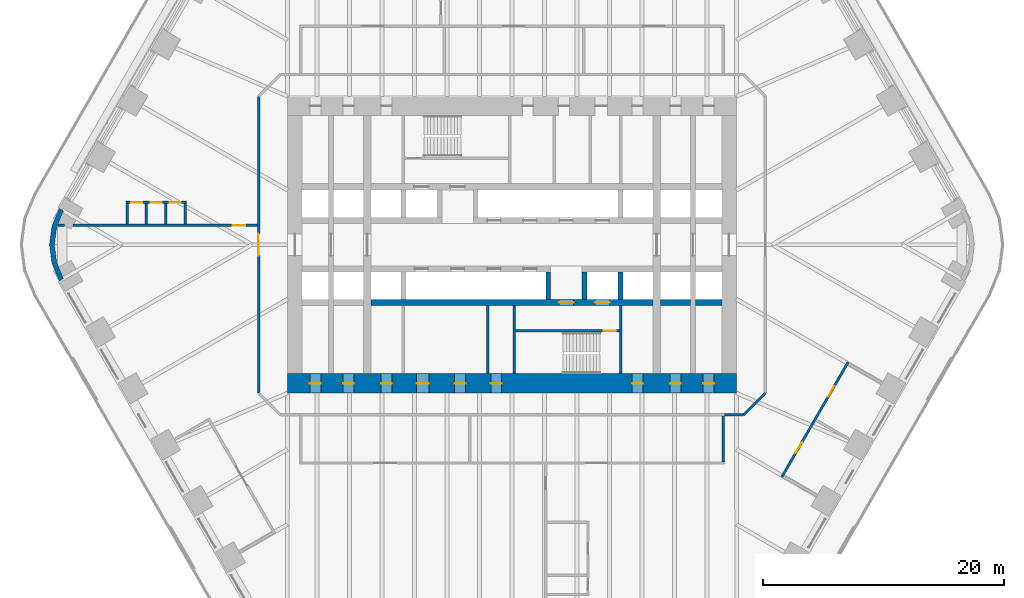
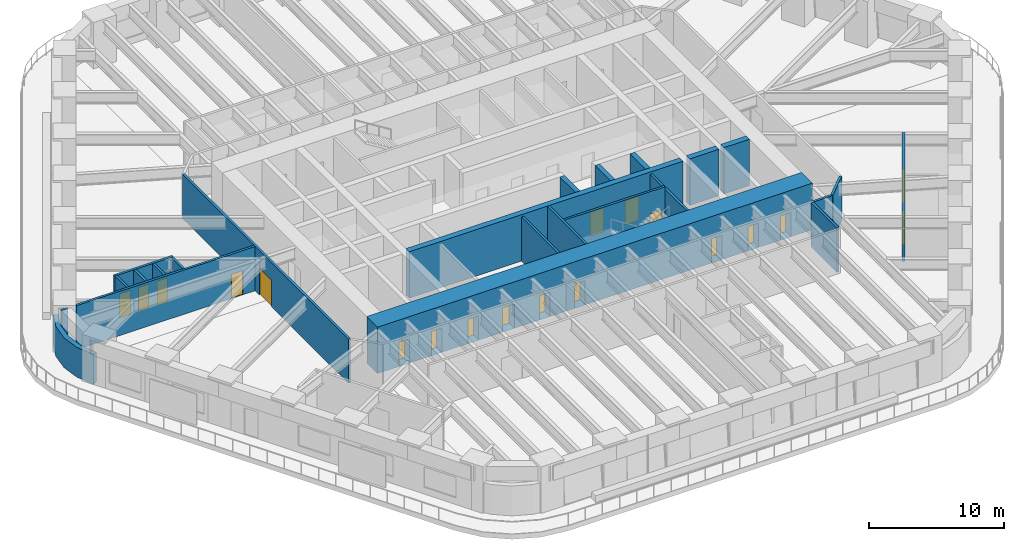
# One storey, part 17 of 23: 24 walls, 19 doors, 19 openings.
"""IFC4 building model written with IfcOpenShell, lengths in metres."""

from ifc_helpers import new_model, si_unit, direction, frame, frame_2d, origin, place, context, subcontext, project, spatial, polyline, rectangle, outline, extrude, material, layer, layer_set, type_object, element, fill, save


model = new_model("IFC4")

# Units and contexts
model_context = context("Model", 3, precision=1e-05, world=origin(), true_north=direction((0.0, 1.0)))
body_context = subcontext(model_context, "Body", "Model", "MODEL_VIEW")
ifc_project = project(units=[si_unit("LENGTHUNIT", "METRE"), si_unit("AREAUNIT", "SQUARE_METRE"), si_unit("VOLUMEUNIT", "CUBIC_METRE"), si_unit("PLANEANGLEUNIT", "RADIAN"), si_unit("MASSUNIT", "GRAM", prefix="KILO")], contexts=[model_context])

# Site, building, storey
site_placement = place(None, origin())
site = spatial("IfcSite", under=ifc_project, at=site_placement, CompositionType="ELEMENT")
building_placement = place(site_placement, origin())
building = spatial("IfcBuilding", under=site, at=building_placement, Name="Tarfa Lantern Tower", CompositionType="ELEMENT")
storey_placement = place(building_placement, frame((0.0, 0.0, 78.10009765625)))
storey = spatial("IfcBuildingStorey", under=building, at=storey_placement, Name="L17", CompositionType="ELEMENT", Elevation=78.10009765625)

# Walls
ifc_material_1 = material(Name="Limestone cladding on blockwork", Category="masonry")
ifc_layer_1 = layer(ifc_material_1, 0.39990234375)
ifc_layer_set_1 = layer_set([ifc_layer_1], Name="EW2 CURVED STONE CORNER 400")
wall_type_1 = type_object("IfcWallType", Name="EW2 CURVED STONE CORNER 400", PredefinedType="SOLIDWALL", material=ifc_layer_set_1)
wall_1_placement = place(storey_placement, origin())
element("IfcWall", 1, at=wall_1_placement, inside=storey, type_object=wall_type_1, Name="Stone corner NW-SW", PredefinedType="SOLIDWALL", context=body_context, shape_type="SweptSolid", body=[
    extrude(outline(polyline([(-37.52783203125, 3.0), (-38.127197265625, 1.552978515625), (-38.33154296875, 0.0), (-38.127197265625, -1.552978515625), (-37.52783203125, -3.0), (-37.181396484375, -2.800048828125), (-37.74072265625, -1.449462890625), (-37.931640625, 0.0), (-37.74072265625, 1.449462890625), (-37.181396484375, 2.800048828125), (-37.52783203125, 3.0)])), origin(), (0.0, 0.0, 1.0), 2.699951171875),
])
ifc_material_2 = material(Name="Concrete blockwork", Category="masonry")
ifc_layer_2 = layer(ifc_material_2, 0.199951171875)
ifc_layer_set_2 = layer_set([ifc_layer_2], Name="IW1 BLOCKWORK PARTITION 200 EI 120")
wall_type_2 = type_object("IfcWallType", Name="IW1 BLOCKWORK PARTITION 200 EI 120", PredefinedType="PARTITIONING", material=ifc_layer_set_2)
for number, where, z_axis, x_axis, name in (
    (2, (9.0, -5.050048828125, 0.0), (0.0, 0.0, 1.0), (0.0, -1.0, 0.0), "Core partition"),
    (3, (-2.0, -5.050048828125, 0.0), (0.0, 0.0, 1.0), (0.0, -1.0, 0.0), "Core partition"),
):
    element("IfcWall", number, at=place(storey_placement, frame(where, z_axis=z_axis, x_axis=x_axis)), inside=storey, type_object=wall_type_2, Name=name, PredefinedType="PARTITIONING", context=body_context, shape_type="SweptSolid", body=[
        extrude(rectangle(XDim=5.64990234375, YDim=0.199951171875, at=frame_2d((2.824951171875, 0.0))), origin(), (0.0, 0.0, 1.0), 4.0),
    ])
ifc_material_3 = material(Name="Gypsum board on steel studs", Category="steel")
ifc_layer_3 = layer(ifc_material_3, 0.2099609375)
ifc_layer_set_3 = layer_set([ifc_layer_3], Name="IW2 ACOUSTIC PARTITION 200")
wall_type_3 = type_object("IfcWallType", Name="IW2 ACOUSTIC PARTITION 200", PredefinedType="PARTITIONING", material=ifc_layer_set_3)
wall_2_placement = place(storey_placement, frame((17.5, -14.199951171875, 0.0), z_axis=(0.0, 0.0, 1.0), x_axis=(0.0, -1.0, 0.0)))
element("IfcWall", 4, at=wall_2_placement, inside=storey, type_object=wall_type_3, Name="Partition", PredefinedType="PARTITIONING", context=body_context, shape_type="SweptSolid", body=[
    extrude(rectangle(XDim=3.800048828125, YDim=0.199951171875, at=frame_2d((1.89990234375, 0.0))), origin(), (0.0, 0.0, 1.0), 4.0),
])

# Wall, openings, doors
wall_3_placement = place(storey_placement, frame((22.370361328125, -19.253173828125, 0.0), z_axis=(0.0, 0.0, 1.0), x_axis=(0.500018936051, 0.866014470774, 0.0)))
wall_3 = element("IfcWall", 5, at=wall_3_placement, inside=storey, type_object=wall_type_3, Name="Partition", PredefinedType="PARTITIONING", context=body_context, shape_type="SweptSolid", body=[
    extrude(rectangle(XDim=10.97705078125, YDim=0.199951171875, at=frame_2d((5.488525390625, 0.0))), origin(), (0.0, 0.0, 1.0), 4.0),
])
opening_1_placement = place(wall_3_placement, frame((2.294189453125, 0.0, 0.0)))
opening_1 = element("IfcOpeningElement", 6, at=opening_1_placement, cuts=wall_3, Name="Opening D29", PredefinedType="OPENING", context=body_context, shape_type="SweptSolid", body=[
    extrude(rectangle(XDim=1.0, YDim=2.199951171875, at=frame_2d((0.5, 1.10009765625))), frame((0.0, 0.10986328125, 0.0), z_axis=(0.0, -1.0, 0.0), x_axis=(1.0, 0.0, 0.0)), (0.0, 0.0, 1.0), 0.219970703125),
])
opening_2_placement = place(wall_3_placement, frame((7.682861328125, 0.0, 0.0)))
opening_2 = element("IfcOpeningElement", 7, at=opening_2_placement, cuts=wall_3, Name="Opening D30", PredefinedType="OPENING", context=body_context, shape_type="SweptSolid", body=[
    extrude(rectangle(XDim=1.0, YDim=2.199951171875, at=frame_2d((0.5, 1.10009765625))), frame((0.0, 0.10986328125, 0.0), z_axis=(0.0, -1.0, 0.0), x_axis=(1.0, 0.0, 0.0)), (0.0, 0.0, 1.0), 0.219970703125),
])
ifc_material_4 = material(Name="Timber door", Category="wood")
door_type_1 = type_object("IfcDoorType", Name="DR1 ROOM DOOR 1000x2200", OperationType="SINGLE_SWING_LEFT", PredefinedType="DOOR", material=ifc_material_4)
door_1_placement = place(opening_1_placement, frame((1.0, 0.0, 0.0), z_axis=(0.0, 0.0, 1.0), x_axis=(-1.0, 0.0, 0.0)))
door_1 = element("IfcDoor", 8, at=door_1_placement, inside=storey, type_object=door_type_1, Name="Wellness room door", OperationType="SINGLE_SWING_LEFT", OverallHeight=2.199951171875, OverallWidth=1.0, PredefinedType="DOOR", context=body_context, shape_type="SweptSolid", body=[
    extrude(rectangle(XDim=1.0, YDim=2.199951171875, at=frame_2d((0.5, 1.10009765625))), frame((0.0, 0.02490234375, 0.0), z_axis=(0.0, -1.0, 0.0), x_axis=(1.0, 0.0, 0.0)), (0.0, 0.0, 1.0), 0.050048828125),
])
fill(opening_1, door_1)
door_2_placement = place(opening_2_placement, frame((1.0, 0.0, 0.0), z_axis=(0.0, 0.0, 1.0), x_axis=(-1.0, 0.0, 0.0)))
door_2 = element("IfcDoor", 9, at=door_2_placement, inside=storey, type_object=door_type_1, Name="Mothers' room door", OperationType="SINGLE_SWING_RIGHT", OverallHeight=2.199951171875, OverallWidth=1.0, PredefinedType="DOOR", context=body_context, shape_type="SweptSolid", body=[
    extrude(rectangle(XDim=1.0, YDim=2.199951171875, at=frame_2d((0.5, 1.10009765625))), frame((0.0, 0.02490234375, 0.0), z_axis=(0.0, -1.0, 0.0), x_axis=(1.0, 0.0, 0.0)), (0.0, 0.0, 1.0), 0.050048828125),
])
fill(opening_2, door_2)

# Walls
wall_4_placement = place(storey_placement, frame((21.0, -12.300048828125, 0.0), z_axis=(0.0, 0.0, 1.0), x_axis=(-0.707106781187, -0.707106781187, 0.0)))
element("IfcWall", 10, at=wall_4_placement, inside=storey, type_object=wall_type_3, Name="Partition", PredefinedType="PARTITIONING", context=body_context, shape_type="SweptSolid", body=[
    extrude(rectangle(XDim=2.545654296875, YDim=0.199951171875, at=frame_2d((1.27294921875, 0.0))), origin(), (0.0, 0.0, 1.0), 4.0),
])
wall_5_placement = place(storey_placement, frame((19.199951171875, -14.10009765625, 0.0), z_axis=(0.0, 0.0, 1.0), x_axis=(-1.0, 0.0, 0.0)))
element("IfcWall", 11, at=wall_5_placement, inside=storey, type_object=wall_type_3, Name="Partition", PredefinedType="PARTITIONING", context=body_context, shape_type="SweptSolid", body=[
    extrude(rectangle(XDim=1.599853515625, YDim=0.199951171875, at=frame_2d((0.7998046875, 0.0))), origin(), (0.0, 0.0, 1.0), 4.0),
])

# Wall, opening, door
wall_6_placement = place(storey_placement, frame((-21.0, -12.300048828125, 0.0), z_axis=(0.0, 0.0, 1.0), x_axis=(0.0, 1.0, 0.0)))
wall_6 = element("IfcWall", 12, at=wall_6_placement, inside=storey, type_object=wall_type_3, Name="Partition", PredefinedType="PARTITIONING", context=body_context, shape_type="SweptSolid", body=[
    extrude(rectangle(XDim=24.60009765625, YDim=0.199951171875, at=frame_2d((12.300048828125, 0.0))), origin(), (0.0, 0.0, 1.0), 4.0),
])
opening_3_placement = place(wall_6_placement, frame((11.39990234375, 0.0, 0.0)))
opening_3 = element("IfcOpeningElement", 13, at=opening_3_placement, cuts=wall_6, Name="Opening D43", PredefinedType="OPENING", context=body_context, shape_type="SweptSolid", body=[
    extrude(rectangle(XDim=1.800048828125, YDim=2.39990234375, at=frame_2d((0.89990234375, 1.199951171875))), frame((0.0, 0.10986328125, 0.0), z_axis=(0.0, -1.0, 0.0), x_axis=(1.0, 0.0, 0.0)), (0.0, 0.0, 1.0), 0.219970703125),
])
door_type_2 = type_object("IfcDoorType", Name="DR2 ROOM DOOR 1800x2400", OperationType="DOUBLE_DOOR_SINGLE_SWING", PredefinedType="DOOR", material=ifc_material_4)
door_3_placement = place(opening_3_placement, origin())
door_3 = element("IfcDoor", 14, at=door_3_placement, inside=storey, type_object=door_type_2, Name="Corridor door", OperationType="DOUBLE_DOOR_SINGLE_SWING", OverallHeight=2.39990234375, OverallWidth=1.800048828125, PredefinedType="DOOR", context=body_context, shape_type="SweptSolid", body=[
    extrude(rectangle(XDim=1.800048828125, YDim=2.39990234375, at=frame_2d((0.89990234375, 1.199951171875))), frame((0.0, 0.02490234375, 0.0), z_axis=(0.0, -1.0, 0.0), x_axis=(1.0, 0.0, 0.0)), (0.0, 0.0, 1.0), 0.050048828125),
])
fill(opening_3, door_3)

wall_7_placement = place(storey_placement, frame((-21.10009765625, 1.60009765625, 0.0), z_axis=(0.0, 0.0, 1.0), x_axis=(-1.0, 0.0, 0.0)))
wall_7 = element("IfcWall", 15, at=wall_7_placement, inside=storey, type_object=wall_type_3, Name="Partition", PredefinedType="PARTITIONING", context=body_context, shape_type="SweptSolid", body=[
    extrude(rectangle(XDim=15.27294921875, YDim=0.199951171875, at=frame_2d((7.636474609375, 0.0))), origin(), (0.0, 0.0, 1.0), 4.0),
])
opening_4_placement = place(wall_7_placement, frame((1.02734375, 0.0, 0.0)))
opening_4 = element("IfcOpeningElement", 16, at=opening_4_placement, cuts=wall_7, Name="Opening D46", PredefinedType="OPENING", context=body_context, shape_type="SweptSolid", body=[
    extrude(rectangle(XDim=1.0, YDim=2.199951171875, at=frame_2d((0.5, 1.10009765625))), frame((0.0, 0.10986328125, 0.0), z_axis=(0.0, -1.0, 0.0), x_axis=(1.0, 0.0, 0.0)), (0.0, 0.0, 1.0), 0.219970703125),
])
door_4_placement = place(opening_4_placement, frame((1.0, 0.0, 0.0), z_axis=(0.0, 0.0, 1.0), x_axis=(-1.0, 0.0, 0.0)))
door_4 = element("IfcDoor", 17, at=door_4_placement, inside=storey, type_object=door_type_1, Name="Zone door", OperationType="SINGLE_SWING_LEFT", OverallHeight=2.199951171875, OverallWidth=1.0, PredefinedType="DOOR", context=body_context, shape_type="SweptSolid", body=[
    extrude(rectangle(XDim=1.0, YDim=2.199951171875, at=frame_2d((0.5, 1.10009765625))), frame((0.0, 0.02490234375, 0.0), z_axis=(0.0, -1.0, 0.0), x_axis=(1.0, 0.0, 0.0)), (0.0, 0.0, 1.0), 0.050048828125),
])
fill(opening_4, door_4)

# Wall
wall_8_placement = place(storey_placement, frame((-37.102783203125, 1.60009765625, 0.0), z_axis=(0.0, 0.0, 1.0), x_axis=(-1.0, 0.0, 0.0)))
element("IfcWall", 18, at=wall_8_placement, inside=storey, type_object=wall_type_3, Name="Partition", PredefinedType="PARTITIONING", context=body_context, shape_type="SweptSolid", body=[
    extrude(rectangle(XDim=0.534423828125, YDim=0.199951171875, at=frame_2d((0.26708984375, 0.0))), origin(), (0.0, 0.0, 1.0), 4.0),
])

# Wall, openings, doors
wall_9_placement = place(storey_placement, frame((-27.000244140625, 3.5, 0.0), z_axis=(0.0, 0.0, 1.0), x_axis=(-1.0, 0.0, 0.0)))
wall_9 = element("IfcWall", 19, at=wall_9_placement, inside=storey, type_object=wall_type_3, Name="Partition", PredefinedType="PARTITIONING", context=body_context, shape_type="SweptSolid", body=[
    extrude(rectangle(XDim=5.0, YDim=0.199951171875, at=frame_2d((2.5, 0.0))), origin(), (0.0, 0.0, 1.0), 4.0),
])
opening_5_placement = place(wall_9_placement, frame((0.449951171875, 0.0, 0.0)))
opening_5 = element("IfcOpeningElement", 20, at=opening_5_placement, cuts=wall_9, Name="Opening D39", PredefinedType="OPENING", context=body_context, shape_type="SweptSolid", body=[
    extrude(rectangle(XDim=0.89990234375, YDim=2.199951171875, at=frame_2d((0.449951171875, 1.10009765625))), frame((0.0, 0.10986328125, 0.0), z_axis=(0.0, -1.0, 0.0), x_axis=(1.0, 0.0, 0.0)), (0.0, 0.0, 1.0), 0.219970703125),
])
opening_6_placement = place(wall_9_placement, frame((2.050048828125, 0.0, 0.0)))
opening_6 = element("IfcOpeningElement", 21, at=opening_6_placement, cuts=wall_9, Name="Opening D40", PredefinedType="OPENING", context=body_context, shape_type="SweptSolid", body=[
    extrude(rectangle(XDim=0.89990234375, YDim=2.199951171875, at=frame_2d((0.449951171875, 1.10009765625))), frame((0.0, 0.10986328125, 0.0), z_axis=(0.0, -1.0, 0.0), x_axis=(1.0, 0.0, 0.0)), (0.0, 0.0, 1.0), 0.219970703125),
])
opening_7_placement = place(wall_9_placement, frame((3.64990234375, 0.0, 0.0)))
opening_7 = element("IfcOpeningElement", 22, at=opening_7_placement, cuts=wall_9, Name="Opening D41", PredefinedType="OPENING", context=body_context, shape_type="SweptSolid", body=[
    extrude(rectangle(XDim=0.89990234375, YDim=2.199951171875, at=frame_2d((0.449951171875, 1.10009765625))), frame((0.0, 0.10986328125, 0.0), z_axis=(0.0, -1.0, 0.0), x_axis=(1.0, 0.0, 0.0)), (0.0, 0.0, 1.0), 0.219970703125),
])
door_type_3 = type_object("IfcDoorType", Name="DR3 ROOM DOOR 900x2200", OperationType="SINGLE_SWING_LEFT", PredefinedType="DOOR", material=ifc_material_4)
door_5_placement = place(opening_5_placement, origin())
door_5 = element("IfcDoor", 23, at=door_5_placement, inside=storey, type_object=door_type_3, Name="Phone booth door", OperationType="SINGLE_SWING_RIGHT", OverallHeight=2.199951171875, OverallWidth=0.89990234375, PredefinedType="DOOR", context=body_context, shape_type="SweptSolid", body=[
    extrude(rectangle(XDim=0.89990234375, YDim=2.199951171875, at=frame_2d((0.449951171875, 1.10009765625))), frame((0.0, 0.02490234375, 0.0), z_axis=(0.0, -1.0, 0.0), x_axis=(1.0, 0.0, 0.0)), (0.0, 0.0, 1.0), 0.050048828125),
])
fill(opening_5, door_5)
door_6_placement = place(opening_6_placement, origin())
door_6 = element("IfcDoor", 24, at=door_6_placement, inside=storey, type_object=door_type_3, Name="Phone booth door", OperationType="SINGLE_SWING_LEFT", OverallHeight=2.199951171875, OverallWidth=0.89990234375, PredefinedType="DOOR", context=body_context, shape_type="SweptSolid", body=[
    extrude(rectangle(XDim=0.89990234375, YDim=2.199951171875, at=frame_2d((0.449951171875, 1.10009765625))), frame((0.0, 0.02490234375, 0.0), z_axis=(0.0, -1.0, 0.0), x_axis=(1.0, 0.0, 0.0)), (0.0, 0.0, 1.0), 0.050048828125),
])
fill(opening_6, door_6)
door_7_placement = place(opening_7_placement, origin())
door_7 = element("IfcDoor", 25, at=door_7_placement, inside=storey, type_object=door_type_3, Name="Phone booth door", OperationType="SINGLE_SWING_LEFT", OverallHeight=2.199951171875, OverallWidth=0.89990234375, PredefinedType="DOOR", context=body_context, shape_type="SweptSolid", body=[
    extrude(rectangle(XDim=0.89990234375, YDim=2.199951171875, at=frame_2d((0.449951171875, 1.10009765625))), frame((0.0, 0.02490234375, 0.0), z_axis=(0.0, -1.0, 0.0), x_axis=(1.0, 0.0, 0.0)), (0.0, 0.0, 1.0), 0.050048828125),
])
fill(opening_7, door_7)

# Walls
for number, where, z_axis, x_axis, name in (
    (26, (-27.10009765625, 1.699951171875, 0.0), (0.0, 0.0, 1.0), (0.0, 1.0, 0.0), "Partition"),
    (27, (-28.7001953125, 1.699951171875, 0.0), (0.0, 0.0, 1.0), (0.0, 1.0, 0.0), "Partition"),
    (28, (-30.30029296875, 1.699951171875, 0.0), (0.0, 0.0, 1.0), (0.0, 1.0, 0.0), "Partition"),
    (29, (-31.900146484375, 1.699951171875, 0.0), (0.0, 0.0, 1.0), (0.0, 1.0, 0.0), "Partition"),
):
    element("IfcWall", number, at=place(storey_placement, frame(where, z_axis=z_axis, x_axis=x_axis)), inside=storey, type_object=wall_type_3, Name=name, PredefinedType="PARTITIONING", context=body_context, shape_type="SweptSolid", body=[
        extrude(rectangle(XDim=1.699951171875, YDim=0.199951171875, at=frame_2d((0.85009765625, 0.0))), origin(), (0.0, 0.0, 1.0), 4.0),
    ])
ifc_material_5 = material(Name="Concrete C80/95", Category="concrete")
ifc_layer_4 = layer(ifc_material_5, 0.199951171875)
ifc_layer_set_4 = layer_set([ifc_layer_4], Name="SW12 CORE WALL 200")
wall_type_4 = type_object("IfcWallType", Name="SW12 CORE WALL 200", PredefinedType="SHEAR", material=ifc_layer_set_4)
wall_10_placement = place(storey_placement, frame((0.199951171875, -5.050048828125, 0.0), z_axis=(0.0, 0.0, 1.0), x_axis=(0.0, -1.0, 0.0)))
element("IfcWall", 30, at=wall_10_placement, inside=storey, type_object=wall_type_4, Name="Core wall stair shaft S", PredefinedType="SHEAR", context=body_context, shape_type="SweptSolid", body=[
    extrude(rectangle(XDim=5.64990234375, YDim=0.199951171875, at=frame_2d((2.824951171875, 0.0))), origin(), (0.0, 0.0, 1.0), 4.199951171875),
])

# Wall, opening, door
wall_11_placement = place(storey_placement, frame((8.89990234375, -7.14990234375, 0.0), z_axis=(0.0, 0.0, 1.0), x_axis=(-1.0, 0.0, 0.0)))
wall_11 = element("IfcWall", 31, at=wall_11_placement, inside=storey, type_object=wall_type_4, Name="Core wall stair partition S", PredefinedType="SHEAR", context=body_context, shape_type="SweptSolid", body=[
    extrude(rectangle(XDim=8.599853515625, YDim=0.199951171875, at=frame_2d((4.2998046875, 0.0))), origin(), (0.0, 0.0, 1.0), 4.199951171875),
])
opening_8_placement = place(wall_11_placement, frame((0.300048828125, 0.0, 0.0)))
opening_8 = element("IfcOpeningElement", 32, at=opening_8_placement, cuts=wall_11, Name="Opening D24", PredefinedType="OPENING", context=body_context, shape_type="SweptSolid", body=[
    extrude(rectangle(XDim=1.0, YDim=2.199951171875, at=frame_2d((0.5, 1.10009765625))), frame((0.0, 0.10986328125, 0.0), z_axis=(0.0, -1.0, 0.0), x_axis=(1.0, 0.0, 0.0)), (0.0, 0.0, 1.0), 0.219970703125),
])
ifc_material_6 = material(Name="Steel fire door", Category="steel")
door_type_4 = type_object("IfcDoorType", Name="DF2 STAIR DOOR 1000x2200", OperationType="SINGLE_SWING_LEFT", PredefinedType="DOOR", material=ifc_material_6)
door_8_placement = place(opening_8_placement, origin())
door_8 = element("IfcDoor", 33, at=door_8_placement, inside=storey, type_object=door_type_4, Name="Stair door", OperationType="SINGLE_SWING_RIGHT", OverallHeight=2.199951171875, OverallWidth=1.0, PredefinedType="DOOR", context=body_context, shape_type="SweptSolid", body=[
    extrude(rectangle(XDim=1.0, YDim=2.199951171875, at=frame_2d((0.5, 1.10009765625))), frame((0.0, 0.02490234375, 0.0), z_axis=(0.0, -1.0, 0.0), x_axis=(1.0, 0.0, 0.0)), (0.0, 0.0, 1.0), 0.050048828125),
])
fill(opening_8, door_8)

# Walls
ifc_layer_5 = layer(ifc_material_5, 0.5)
ifc_layer_set_5 = layer_set([ifc_layer_5], Name="SW5 CORE WALL 500")
wall_type_5 = type_object("IfcWallType", Name="SW5 CORE WALL 500", PredefinedType="SHEAR", material=ifc_layer_set_5)
wall_12_placement = place(storey_placement, frame((17.39990234375, -4.800048828125, 0.0), z_axis=(0.0, 0.0, 1.0), x_axis=(-1.0, 0.0, 0.0)))
element("IfcWall", 34, at=wall_12_placement, inside=storey, type_object=wall_type_5, Name="Core wall rear S", PredefinedType="SHEAR", context=body_context, shape_type="SweptSolid", body=[
    extrude(rectangle(XDim=2.199951171875, YDim=0.5, at=frame_2d((1.10009765625, 0.0))), origin(), (0.0, 0.0, 1.0), 4.199951171875),
])
wall_13_placement = place(storey_placement, frame((14.800048828125, -4.800048828125, 0.0), z_axis=(0.0, 0.0, 1.0), x_axis=(-1.0, 0.0, 0.0)))
element("IfcWall", 35, at=wall_13_placement, inside=storey, type_object=wall_type_5, Name="Core wall rear S", PredefinedType="SHEAR", context=body_context, shape_type="SweptSolid", body=[
    extrude(rectangle(XDim=2.5, YDim=0.5, at=frame_2d((1.25, 0.0))), origin(), (0.0, 0.0, 1.0), 4.199951171875),
])

# Wall, openings, doors
wall_14_placement = place(storey_placement, frame((11.699951171875, -4.800048828125, 0.0), z_axis=(0.0, 0.0, 1.0), x_axis=(-1.0, 0.0, 0.0)))
wall_14 = element("IfcWall", 36, at=wall_14_placement, inside=storey, type_object=wall_type_5, Name="Core wall rear S", PredefinedType="SHEAR", context=body_context, shape_type="SweptSolid", body=[
    extrude(rectangle(XDim=23.39990234375, YDim=0.5, at=frame_2d((11.699951171875, 0.0))), origin(), (0.0, 0.0, 1.0), 4.199951171875),
])
opening_9_placement = place(wall_14_placement, frame((6.60009765625, 0.0, 0.0)))
opening_9 = element("IfcOpeningElement", 37, at=opening_9_placement, cuts=wall_14, Name="Opening D14", PredefinedType="OPENING", context=body_context, shape_type="SweptSolid", body=[
    extrude(rectangle(XDim=1.199951171875, YDim=2.199951171875, at=frame_2d((0.60009765625, 1.10009765625))), frame((0.0, 0.260009765625, 0.0), z_axis=(0.0, -1.0, 0.0), x_axis=(1.0, 0.0, 0.0)), (0.0, 0.0, 1.0), 0.52001953125),
])
opening_10_placement = place(wall_14_placement, frame((3.60009765625, 0.0, 0.0)))
opening_10 = element("IfcOpeningElement", 38, at=opening_10_placement, cuts=wall_14, Name="Opening LD02", PredefinedType="OPENING", context=body_context, shape_type="SweptSolid", body=[
    extrude(rectangle(XDim=1.199951171875, YDim=2.199951171875, at=frame_2d((0.60009765625, 1.10009765625))), frame((0.0, 0.260009765625, 0.0), z_axis=(0.0, -1.0, 0.0), x_axis=(1.0, 0.0, 0.0)), (0.0, 0.0, 1.0), 0.52001953125),
])
door_type_5 = type_object("IfcDoorType", Name="DF1 FIREFIGHTING LOBBY DOOR 1200x2200", OperationType="SINGLE_SWING_LEFT", PredefinedType="DOOR", material=ifc_material_6)
door_9_placement = place(opening_9_placement, origin())
door_9 = element("IfcDoor", 39, at=door_9_placement, inside=storey, type_object=door_type_5, Name="Firefighting lobby door", OperationType="SINGLE_SWING_LEFT", OverallHeight=2.199951171875, OverallWidth=1.199951171875, PredefinedType="DOOR", context=body_context, shape_type="SweptSolid", body=[
    extrude(rectangle(XDim=1.199951171875, YDim=2.199951171875, at=frame_2d((0.60009765625, 1.10009765625))), frame((0.0, 0.02490234375, 0.0), z_axis=(0.0, -1.0, 0.0), x_axis=(1.0, 0.0, 0.0)), (0.0, 0.0, 1.0), 0.050048828125),
])
fill(opening_9, door_9)
ifc_material_7 = material(Name="Stainless steel lift door", Category="steel")
door_type_6 = type_object("IfcDoorType", Name="LD1 LIFT LANDING DOOR 1200x2200", OperationType="SLIDING_TO_LEFT", PredefinedType="DOOR", material=ifc_material_7)
door_10_placement = place(opening_10_placement, origin())
door_10 = element("IfcDoor", 40, at=door_10_placement, inside=storey, type_object=door_type_6, Name="Landing door FL2", OperationType="SLIDING_TO_LEFT", OverallHeight=2.199951171875, OverallWidth=1.199951171875, PredefinedType="DOOR", context=body_context, shape_type="SweptSolid", body=[
    extrude(rectangle(XDim=1.199951171875, YDim=2.199951171875, at=frame_2d((0.60009765625, 1.10009765625))), frame((0.0, 0.02490234375, 0.0), z_axis=(0.0, -1.0, 0.0), x_axis=(1.0, 0.0, 0.0)), (0.0, 0.0, 1.0), 0.050048828125),
])
fill(opening_10, door_10)

# Walls
ifc_layer_6 = layer(ifc_material_5, 0.39990234375)
ifc_layer_set_6 = layer_set([ifc_layer_6], Name="SW6 CORE WALL 400")
wall_type_6 = type_object("IfcWallType", Name="SW6 CORE WALL 400", PredefinedType="SHEAR", material=ifc_layer_set_6)
for number, where, z_axis, x_axis, name in (
    (41, (9.0, -2.25, 0.0), (0.0, 0.0, 1.0), (0.0, -1.0, 0.0), "Core wall divider S"),
    (42, (6.0, -2.25, 0.0), (0.0, 0.0, 1.0), (0.0, -1.0, 0.0), "Core wall divider S"),
    (43, (3.0, -2.25, 0.0), (0.0, 0.0, 1.0), (0.0, -1.0, 0.0), "Core wall divider S"),
):
    element("IfcWall", number, at=place(storey_placement, frame(where, z_axis=z_axis, x_axis=x_axis)), inside=storey, type_object=wall_type_6, Name=name, PredefinedType="SHEAR", context=body_context, shape_type="SweptSolid", body=[
        extrude(rectangle(XDim=2.300048828125, YDim=0.39990234375, at=frame_2d((1.14990234375, 0.0))), origin(), (0.0, 0.0, 1.0), 4.199951171875),
    ])

# Wall, openings, doors
ifc_layer_7 = layer(ifc_material_5, 1.60009765625)
ifc_layer_set_7 = layer_set([ifc_layer_7], Name="SW7 CORE WALL 1600")
wall_type_7 = type_object("IfcWallType", Name="SW7 CORE WALL 1600", PredefinedType="SHEAR", material=ifc_layer_set_7)
wall_15_placement = place(storey_placement, frame((18.60009765625, -11.5, 0.0), z_axis=(0.0, 0.0, 1.0), x_axis=(-1.0, 0.0, 0.0)))
wall_15 = element("IfcWall", 44, at=wall_15_placement, inside=storey, type_object=wall_type_7, Name="Core wall S", PredefinedType="SHEAR", context=body_context, shape_type="SweptSolid", body=[
    extrude(rectangle(XDim=37.2001953125, YDim=1.60009765625, at=frame_2d((18.60009765625, 0.0))), origin(), (0.0, 0.0, 1.0), 4.199951171875),
])
opening_11_placement = place(wall_15_placement, frame((19.449951171875, 0.0, 0.0)))
opening_11 = element("IfcOpeningElement", 45, at=opening_11_placement, cuts=wall_15, Name="Opening D18", PredefinedType="OPENING", context=body_context, shape_type="SweptSolid", body=[
    extrude(rectangle(XDim=0.89990234375, YDim=2.199951171875, at=frame_2d((0.449951171875, 1.10009765625))), frame((0.0, 0.81005859375, 0.0), z_axis=(0.0, -1.0, 0.0), x_axis=(1.0, 0.0, 0.0)), (0.0, 0.0, 1.0), 1.6201171875),
])
opening_12_placement = place(wall_15_placement, frame((22.449951171875, 0.0, 0.0)))
opening_12 = element("IfcOpeningElement", 46, at=opening_12_placement, cuts=wall_15, Name="Opening D20", PredefinedType="OPENING", context=body_context, shape_type="SweptSolid", body=[
    extrude(rectangle(XDim=0.89990234375, YDim=2.199951171875, at=frame_2d((0.449951171875, 1.10009765625))), frame((0.0, 0.81005859375, 0.0), z_axis=(0.0, -1.0, 0.0), x_axis=(1.0, 0.0, 0.0)), (0.0, 0.0, 1.0), 1.6201171875),
])
opening_13_placement = place(wall_15_placement, frame((25.5, 0.0, 0.0)))
opening_13 = element("IfcOpeningElement", 47, at=opening_13_placement, cuts=wall_15, Name="Opening D22", PredefinedType="OPENING", context=body_context, shape_type="SweptSolid", body=[
    extrude(rectangle(XDim=1.0, YDim=2.199951171875, at=frame_2d((0.5, 1.10009765625))), frame((0.0, 0.81005859375, 0.0), z_axis=(0.0, -1.0, 0.0), x_axis=(1.0, 0.0, 0.0)), (0.0, 0.0, 1.0), 1.6201171875),
])
opening_14_placement = place(wall_15_placement, frame((1.85009765625, 0.0, 0.0)))
opening_14 = element("IfcOpeningElement", 48, at=opening_14_placement, cuts=wall_15, Name="Opening D12", PredefinedType="OPENING", context=body_context, shape_type="SweptSolid", body=[
    extrude(rectangle(XDim=0.89990234375, YDim=2.199951171875, at=frame_2d((0.449951171875, 1.10009765625))), frame((0.0, 0.81005859375, 0.0), z_axis=(0.0, -1.0, 0.0), x_axis=(1.0, 0.0, 0.0)), (0.0, 0.0, 1.0), 1.6201171875),
])
opening_15_placement = place(wall_15_placement, frame((4.60009765625, 0.0, 0.0)))
opening_15 = element("IfcOpeningElement", 49, at=opening_15_placement, cuts=wall_15, Name="Opening D08", PredefinedType="OPENING", context=body_context, shape_type="SweptSolid", body=[
    extrude(rectangle(XDim=0.89990234375, YDim=2.199951171875, at=frame_2d((0.449951171875, 1.10009765625))), frame((0.0, 0.81005859375, 0.0), z_axis=(0.0, -1.0, 0.0), x_axis=(1.0, 0.0, 0.0)), (0.0, 0.0, 1.0), 1.6201171875),
])
opening_16_placement = place(wall_15_placement, frame((7.75, 0.0, 0.0)))
opening_16 = element("IfcOpeningElement", 50, at=opening_16_placement, cuts=wall_15, Name="Opening D10", PredefinedType="OPENING", context=body_context, shape_type="SweptSolid", body=[
    extrude(rectangle(XDim=0.89990234375, YDim=2.199951171875, at=frame_2d((0.449951171875, 1.10009765625))), frame((0.0, 0.81005859375, 0.0), z_axis=(0.0, -1.0, 0.0), x_axis=(1.0, 0.0, 0.0)), (0.0, 0.0, 1.0), 1.6201171875),
])
opening_17_placement = place(wall_15_placement, frame((28.550048828125, 0.0, 0.0)))
opening_17 = element("IfcOpeningElement", 51, at=opening_17_placement, cuts=wall_15, Name="Opening D06", PredefinedType="OPENING", context=body_context, shape_type="SweptSolid", body=[
    extrude(rectangle(XDim=0.89990234375, YDim=2.199951171875, at=frame_2d((0.449951171875, 1.10009765625))), frame((0.0, 0.81005859375, 0.0), z_axis=(0.0, -1.0, 0.0), x_axis=(1.0, 0.0, 0.0)), (0.0, 0.0, 1.0), 1.6201171875),
])
opening_18_placement = place(wall_15_placement, frame((31.699951171875, 0.0, 0.0)))
opening_18 = element("IfcOpeningElement", 52, at=opening_18_placement, cuts=wall_15, Name="Opening D02", PredefinedType="OPENING", context=body_context, shape_type="SweptSolid", body=[
    extrude(rectangle(XDim=0.89990234375, YDim=2.199951171875, at=frame_2d((0.449951171875, 1.10009765625))), frame((0.0, 0.81005859375, 0.0), z_axis=(0.0, -1.0, 0.0), x_axis=(1.0, 0.0, 0.0)), (0.0, 0.0, 1.0), 1.6201171875),
])
opening_19_placement = place(wall_15_placement, frame((34.449951171875, 0.0, 0.0)))
opening_19 = element("IfcOpeningElement", 53, at=opening_19_placement, cuts=wall_15, Name="Opening D04", PredefinedType="OPENING", context=body_context, shape_type="SweptSolid", body=[
    extrude(rectangle(XDim=0.89990234375, YDim=2.199951171875, at=frame_2d((0.449951171875, 1.10009765625))), frame((0.0, 0.81005859375, 0.0), z_axis=(0.0, -1.0, 0.0), x_axis=(1.0, 0.0, 0.0)), (0.0, 0.0, 1.0), 1.6201171875),
])
door_type_7 = type_object("IfcDoorType", Name="DF3 CORE ROOM DOOR 900x2200", OperationType="SINGLE_SWING_LEFT", PredefinedType="DOOR", material=ifc_material_6)
door_11_placement = place(opening_11_placement, frame((0.89990234375, 0.0, 0.0), z_axis=(0.0, 0.0, 1.0), x_axis=(-1.0, 0.0, 0.0)))
door_11 = element("IfcDoor", 54, at=door_11_placement, inside=storey, type_object=door_type_7, Name="Core door", OperationType="SINGLE_SWING_RIGHT", OverallHeight=2.199951171875, OverallWidth=0.89990234375, PredefinedType="DOOR", context=body_context, shape_type="SweptSolid", body=[
    extrude(rectangle(XDim=0.89990234375, YDim=2.199951171875, at=frame_2d((0.449951171875, 1.10009765625))), frame((0.0, 0.02490234375, 0.0), z_axis=(0.0, -1.0, 0.0), x_axis=(1.0, 0.0, 0.0)), (0.0, 0.0, 1.0), 0.050048828125),
])
fill(opening_11, door_11)
door_12_placement = place(opening_12_placement, frame((0.89990234375, 0.0, 0.0), z_axis=(0.0, 0.0, 1.0), x_axis=(-1.0, 0.0, 0.0)))
door_12 = element("IfcDoor", 55, at=door_12_placement, inside=storey, type_object=door_type_7, Name="Core door", OperationType="SINGLE_SWING_LEFT", OverallHeight=2.199951171875, OverallWidth=0.89990234375, PredefinedType="DOOR", context=body_context, shape_type="SweptSolid", body=[
    extrude(rectangle(XDim=0.89990234375, YDim=2.199951171875, at=frame_2d((0.449951171875, 1.10009765625))), frame((0.0, 0.02490234375, 0.0), z_axis=(0.0, -1.0, 0.0), x_axis=(1.0, 0.0, 0.0)), (0.0, 0.0, 1.0), 0.050048828125),
])
fill(opening_12, door_12)
door_type_8 = type_object("IfcDoorType", Name="DF4 CORE ROOM DOOR 1000x2200", OperationType="SINGLE_SWING_LEFT", PredefinedType="DOOR", material=ifc_material_6)
door_13_placement = place(opening_13_placement, frame((1.0, 0.0, 0.0), z_axis=(0.0, 0.0, 1.0), x_axis=(-1.0, 0.0, 0.0)))
door_13 = element("IfcDoor", 56, at=door_13_placement, inside=storey, type_object=door_type_8, Name="Core door", OperationType="SINGLE_SWING_RIGHT", OverallHeight=2.199951171875, OverallWidth=1.0, PredefinedType="DOOR", context=body_context, shape_type="SweptSolid", body=[
    extrude(rectangle(XDim=1.0, YDim=2.199951171875, at=frame_2d((0.5, 1.10009765625))), frame((0.0, 0.02490234375, 0.0), z_axis=(0.0, -1.0, 0.0), x_axis=(1.0, 0.0, 0.0)), (0.0, 0.0, 1.0), 0.050048828125),
])
fill(opening_13, door_13)
door_type_9 = type_object("IfcDoorType", Name="DF5 RISER DOOR 900x2200", OperationType="SINGLE_SWING_LEFT", PredefinedType="DOOR", material=ifc_material_6)
door_14_placement = place(opening_14_placement, frame((0.89990234375, 0.0, 0.0), z_axis=(0.0, 0.0, 1.0), x_axis=(-1.0, 0.0, 0.0)))
door_14 = element("IfcDoor", 57, at=door_14_placement, inside=storey, type_object=door_type_9, Name="Riser door", OperationType="SINGLE_SWING_LEFT", OverallHeight=2.199951171875, OverallWidth=0.89990234375, PredefinedType="DOOR", context=body_context, shape_type="SweptSolid", body=[
    extrude(rectangle(XDim=0.89990234375, YDim=2.199951171875, at=frame_2d((0.449951171875, 1.10009765625))), frame((0.0, 0.02490234375, 0.0), z_axis=(0.0, -1.0, 0.0), x_axis=(1.0, 0.0, 0.0)), (0.0, 0.0, 1.0), 0.050048828125),
])
fill(opening_14, door_14)
door_15_placement = place(opening_15_placement, frame((0.89990234375, 0.0, 0.0), z_axis=(0.0, 0.0, 1.0), x_axis=(-1.0, 0.0, 0.0)))
door_15 = element("IfcDoor", 58, at=door_15_placement, inside=storey, type_object=door_type_9, Name="Riser door", OperationType="SINGLE_SWING_LEFT", OverallHeight=2.199951171875, OverallWidth=0.89990234375, PredefinedType="DOOR", context=body_context, shape_type="SweptSolid", body=[
    extrude(rectangle(XDim=0.89990234375, YDim=2.199951171875, at=frame_2d((0.449951171875, 1.10009765625))), frame((0.0, 0.02490234375, 0.0), z_axis=(0.0, -1.0, 0.0), x_axis=(1.0, 0.0, 0.0)), (0.0, 0.0, 1.0), 0.050048828125),
])
fill(opening_15, door_15)
door_16_placement = place(opening_16_placement, frame((0.89990234375, 0.0, 0.0), z_axis=(0.0, 0.0, 1.0), x_axis=(-1.0, 0.0, 0.0)))
door_16 = element("IfcDoor", 59, at=door_16_placement, inside=storey, type_object=door_type_9, Name="Riser door", OperationType="SINGLE_SWING_LEFT", OverallHeight=2.199951171875, OverallWidth=0.89990234375, PredefinedType="DOOR", context=body_context, shape_type="SweptSolid", body=[
    extrude(rectangle(XDim=0.89990234375, YDim=2.199951171875, at=frame_2d((0.449951171875, 1.10009765625))), frame((0.0, 0.02490234375, 0.0), z_axis=(0.0, -1.0, 0.0), x_axis=(1.0, 0.0, 0.0)), (0.0, 0.0, 1.0), 0.050048828125),
])
fill(opening_16, door_16)
door_17_placement = place(opening_17_placement, frame((0.89990234375, 0.0, 0.0), z_axis=(0.0, 0.0, 1.0), x_axis=(-1.0, 0.0, 0.0)))
door_17 = element("IfcDoor", 60, at=door_17_placement, inside=storey, type_object=door_type_9, Name="Riser door", OperationType="SINGLE_SWING_RIGHT", OverallHeight=2.199951171875, OverallWidth=0.89990234375, PredefinedType="DOOR", context=body_context, shape_type="SweptSolid", body=[
    extrude(rectangle(XDim=0.89990234375, YDim=2.199951171875, at=frame_2d((0.449951171875, 1.10009765625))), frame((0.0, 0.02490234375, 0.0), z_axis=(0.0, -1.0, 0.0), x_axis=(1.0, 0.0, 0.0)), (0.0, 0.0, 1.0), 0.050048828125),
])
fill(opening_17, door_17)
door_18_placement = place(opening_18_placement, frame((0.89990234375, 0.0, 0.0), z_axis=(0.0, 0.0, 1.0), x_axis=(-1.0, 0.0, 0.0)))
door_18 = element("IfcDoor", 61, at=door_18_placement, inside=storey, type_object=door_type_9, Name="Riser door", OperationType="SINGLE_SWING_RIGHT", OverallHeight=2.199951171875, OverallWidth=0.89990234375, PredefinedType="DOOR", context=body_context, shape_type="SweptSolid", body=[
    extrude(rectangle(XDim=0.89990234375, YDim=2.199951171875, at=frame_2d((0.449951171875, 1.10009765625))), frame((0.0, 0.02490234375, 0.0), z_axis=(0.0, -1.0, 0.0), x_axis=(1.0, 0.0, 0.0)), (0.0, 0.0, 1.0), 0.050048828125),
])
fill(opening_18, door_18)
door_19_placement = place(opening_19_placement, frame((0.89990234375, 0.0, 0.0), z_axis=(0.0, 0.0, 1.0), x_axis=(-1.0, 0.0, 0.0)))
door_19 = element("IfcDoor", 62, at=door_19_placement, inside=storey, type_object=door_type_9, Name="Riser door", OperationType="SINGLE_SWING_RIGHT", OverallHeight=2.199951171875, OverallWidth=0.89990234375, PredefinedType="DOOR", context=body_context, shape_type="SweptSolid", body=[
    extrude(rectangle(XDim=0.89990234375, YDim=2.199951171875, at=frame_2d((0.449951171875, 1.10009765625))), frame((0.0, 0.02490234375, 0.0), z_axis=(0.0, -1.0, 0.0), x_axis=(1.0, 0.0, 0.0)), (0.0, 0.0, 1.0), 0.050048828125),
])
fill(opening_19, door_19)

save(model, "model.ifc")
